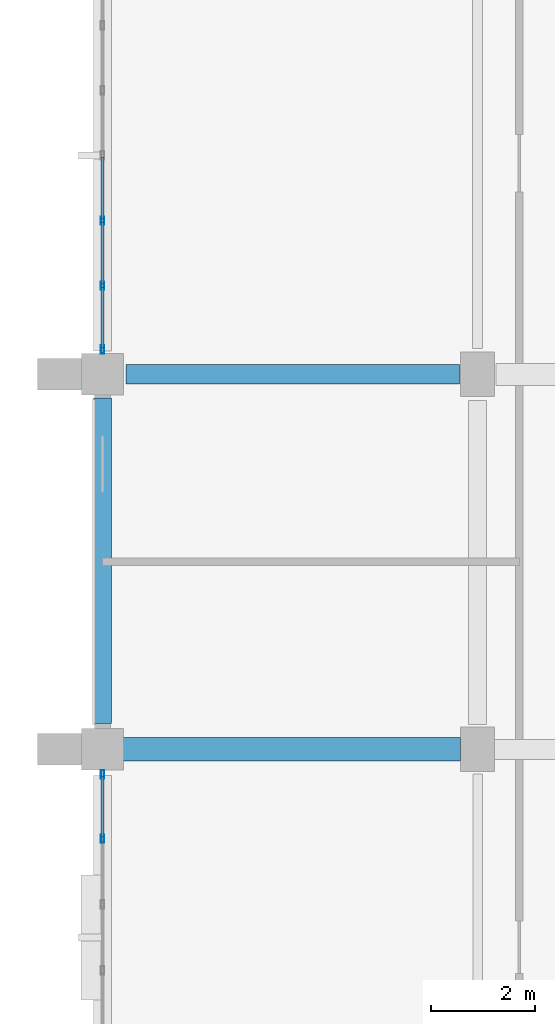
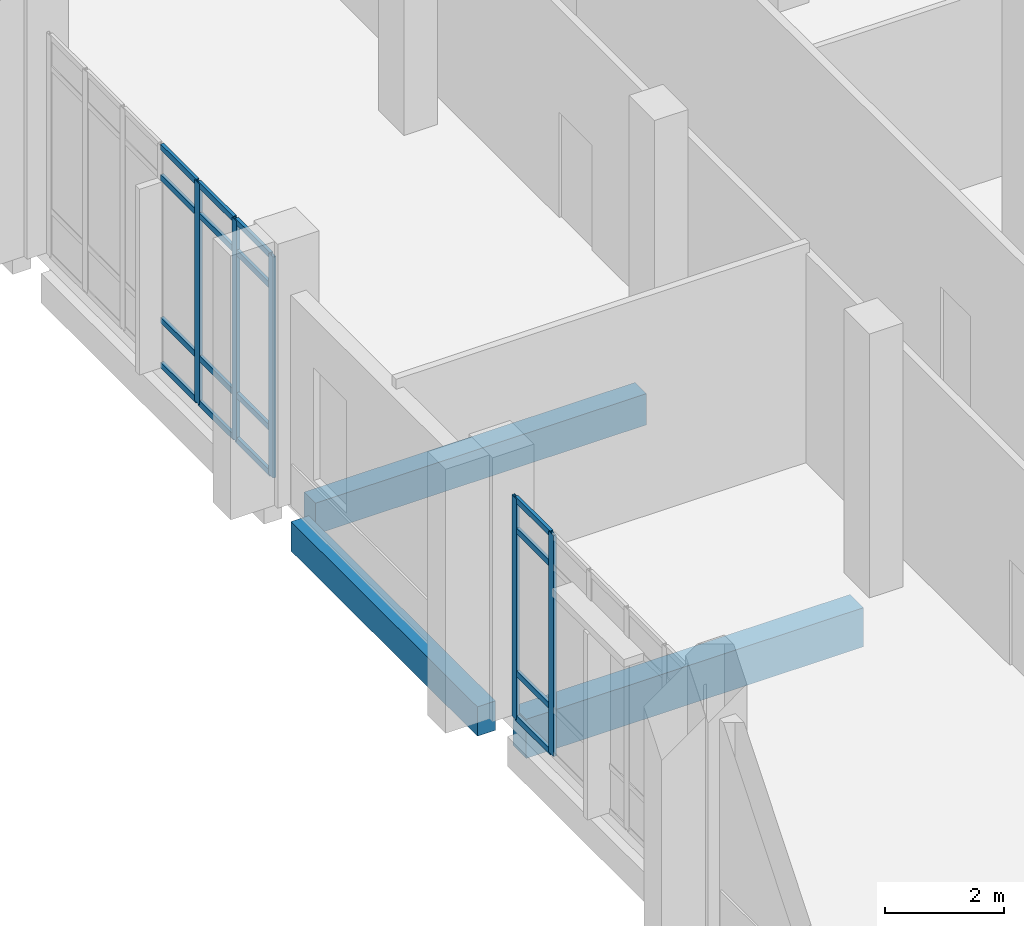
# One storey, part 37 of 110: 21 members, 3 beams, 2 elements without a shape of their own.
"""IFC4 building model written with IfcOpenShell, lengths in metres."""

from ifc_helpers import new_model, si_unit, direction, frame, origin, origin_2d, place, context, subcontext, project, spatial, rectangle, hollow_rectangle, extrude, material, material_profile, profile_set, type_object, element, aggregate, save


model = new_model("IFC4")

# Units and contexts
model_context = context("Model", 3, precision=1e-05, world=origin(), true_north=direction((0.0, 1.0)))
body_context = subcontext(model_context, "Body", "Model", "MODEL_VIEW")
ifc_project = project(units=[si_unit("LENGTHUNIT", "METRE"), si_unit("AREAUNIT", "SQUARE_METRE"), si_unit("VOLUMEUNIT", "CUBIC_METRE"), si_unit("PLANEANGLEUNIT", "RADIAN"), si_unit("MASSUNIT", "GRAM", prefix="KILO")], contexts=[model_context])

# Site, building, storey
site_placement = place(None, origin())
site = spatial("IfcSite", under=ifc_project, at=site_placement, CompositionType="ELEMENT")
building_placement = place(site_placement, origin())
building = spatial("IfcBuilding", under=site, at=building_placement, Name="Kalluvel Institute of Natural Sciences", CompositionType="ELEMENT")
storey_placement = place(building_placement, origin())
storey = spatial("IfcBuildingStorey", under=building, at=storey_placement, Name="L00", CompositionType="ELEMENT", Elevation=0.0)

# Beams
ifc_material_1 = material(Name="Concrete M40", Category="concrete")
ifc_material_profile_1 = material_profile(ifc_material_1, rectangle(XDim=0.3798828125, YDim=0.639892578125, at=origin_2d()), Name="RCB 380x640")
ifc_profile_set_1 = profile_set([ifc_material_profile_1], Name="Concrete M40")
beam_type_1 = type_object("IfcBeamType", Name="BM-RC380x640", PredefinedType="BEAM", material=ifc_profile_set_1)
beam_1_placement = place(storey_placement, frame((14.449951171875, 86.0, -0.639892578125), z_axis=(1.0, 0.0, 0.0), x_axis=(0.0, 1.0, 0.0)))
element("IfcBeam", 1, at=beam_1_placement, inside=storey, type_object=beam_type_1, Name="L00 girder GIR-L00-EW-X140-Y860", PredefinedType="BEAM", context=body_context, shape_type="SweptSolid", body=[
    extrude(rectangle(XDim=0.3798828125, YDim=0.639892578125, at=origin_2d()), origin(), (0.0, 0.0, 1.0), 6.400146484375),
])
ifc_material_profile_2 = material_profile(ifc_material_1, rectangle(XDim=0.449951171875, YDim=0.800048828125, at=origin_2d()), Name="RCB 450x800")
ifc_profile_set_2 = profile_set([ifc_material_profile_2], Name="Concrete M40")
beam_type_2 = type_object("IfcBeamType", Name="BM-RC450x800", PredefinedType="BEAM", material=ifc_profile_set_2)
beam_2_placement = place(storey_placement, frame((14.35009765625, 78.800048828125, -0.719970703125), z_axis=(1.0, 0.0, 0.0), x_axis=(0.0, 1.0, 0.0)))
element("IfcBeam", 2, at=beam_2_placement, inside=storey, type_object=beam_type_2, Name="L00 girder GIR-L00-EW-X140-Y788", PredefinedType="BEAM", context=body_context, shape_type="SweptSolid", body=[
    extrude(rectangle(XDim=0.449951171875, YDim=0.800048828125, at=origin_2d()), origin(), (0.0, 0.0, 1.0), 6.52490234375),
])

# Curtain wall, members
ifc_material_2 = material(Name="Aluminium AW-6063 T6", Category="aluminium")
curtain_wall_type = type_object("IfcCurtainWallType", Name="CW-DRY-54", PredefinedType="USERDEFINED", material=ifc_material_2)
curtain_wall_1_placement = place(storey_placement, origin())
curtain_wall_1 = element("IfcCurtainWall", 3, at=curtain_wall_1_placement, inside=storey, type_object=curtain_wall_type, Name="L00 Gothic lancet curtain wall CWA-L00-X140-Y720", ObjectType="UNITISED LANCET FACADE", PredefinedType="USERDEFINED")
ifc_material_profile_3 = material_profile(ifc_material_2, hollow_rectangle(XDim=0.06005859375, YDim=0.159912109375, WallThickness=0.00390625, at=origin_2d()), Name="CWM 60x160")
ifc_profile_set_3 = profile_set([ifc_material_profile_3], Name="Aluminium AW-6063 T6")
member_type_1 = type_object("IfcMemberType", Name="CWM-60x160", PredefinedType="MULLION", material=ifc_profile_set_3)
member_1_placement = place(storey_placement, frame((14.0, 77.0849609375, 0.0), z_axis=(0.0, 0.0, 1.0), x_axis=(-1.0, 0.0, 0.0)))
member_1 = element("IfcMember", 4, at=member_1_placement, type_object=member_type_1, Name="CW-04 mullion 5", PredefinedType="MULLION", context=body_context, shape_type="SweptSolid", body=[
    extrude(hollow_rectangle(XDim=0.06005859375, YDim=0.159912109375, WallThickness=0.00390625, at=origin_2d()), origin(), (0.0, 0.0, 1.0), 4.52001953125),
])
member_2_placement = place(storey_placement, frame((14.0, 78.320068359375, 0.0), z_axis=(0.0, 0.0, 1.0), x_axis=(-1.0, 0.0, 0.0)))
member_2 = element("IfcMember", 5, at=member_2_placement, type_object=member_type_1, Name="CW-04 mullion 6", PredefinedType="MULLION", context=body_context, shape_type="SweptSolid", body=[
    extrude(hollow_rectangle(XDim=0.06005859375, YDim=0.159912109375, WallThickness=0.00390625, at=origin_2d()), origin(), (0.0, 0.0, 1.0), 4.52001953125),
])

curtain_wall_2_placement = place(storey_placement, origin())
curtain_wall_2 = element("IfcCurtainWall", 6, at=curtain_wall_2_placement, inside=storey, type_object=curtain_wall_type, Name="L00 Gothic lancet curtain wall CWA-L00-X140-Y864", ObjectType="UNITISED LANCET FACADE", PredefinedType="USERDEFINED")
member_3_placement = place(storey_placement, frame((14.0, 86.47998046875, 0.0), z_axis=(0.0, 0.0, 1.0), x_axis=(-1.0, 0.0, 0.0)))
member_3 = element("IfcMember", 7, at=member_3_placement, type_object=member_type_1, Name="CW-04 mullion 1", PredefinedType="MULLION", context=body_context, shape_type="SweptSolid", body=[
    extrude(hollow_rectangle(XDim=0.06005859375, YDim=0.159912109375, WallThickness=0.00390625, at=origin_2d()), origin(), (0.0, 0.0, 1.0), 4.52001953125),
])
member_4_placement = place(storey_placement, frame((14.0, 87.699951171875, 0.0), z_axis=(0.0, 0.0, 1.0), x_axis=(-1.0, 0.0, 0.0)))
member_4 = element("IfcMember", 8, at=member_4_placement, type_object=member_type_1, Name="CW-04 mullion 2", PredefinedType="MULLION", context=body_context, shape_type="SweptSolid", body=[
    extrude(hollow_rectangle(XDim=0.06005859375, YDim=0.159912109375, WallThickness=0.00390625, at=origin_2d()), origin(), (0.0, 0.0, 1.0), 4.52001953125),
])
member_5_placement = place(storey_placement, frame((14.0, 88.949951171875, 0.0), z_axis=(0.0, 0.0, 1.0), x_axis=(-1.0, 0.0, 0.0)))
member_5 = element("IfcMember", 9, at=member_5_placement, type_object=member_type_1, Name="CW-04 mullion 3", PredefinedType="MULLION", context=body_context, shape_type="SweptSolid", body=[
    extrude(hollow_rectangle(XDim=0.06005859375, YDim=0.159912109375, WallThickness=0.00390625, at=origin_2d()), origin(), (0.0, 0.0, 1.0), 4.52001953125),
])

# Member
ifc_material_profile_4 = material_profile(ifc_material_2, hollow_rectangle(XDim=0.06005859375, YDim=0.1201171875, WallThickness=0.00390625, at=origin_2d()), Name="CWT 60x120")
ifc_profile_set_4 = profile_set([ifc_material_profile_4], Name="Aluminium AW-6063 T6")
member_type_2 = type_object("IfcMemberType", Name="CWT-60x120", PredefinedType="USERDEFINED", material=ifc_profile_set_4)
member_6_placement = place(storey_placement, frame((14.0, 77.114990234375, 0.030029296875), z_axis=(0.0, 1.0, 0.0), x_axis=(-1.0, 0.0, 0.0)))
member_6 = element("IfcMember", 10, at=member_6_placement, type_object=member_type_2, Name="CW-04 transom 5.1", ObjectType="TRANSOM", PredefinedType="USERDEFINED", context=body_context, shape_type="SweptSolid", body=[
    extrude(hollow_rectangle(XDim=0.06005859375, YDim=0.1201171875, WallThickness=0.00390625, at=origin_2d()), origin(), (0.0, 0.0, 1.0), 1.175048828125),
])

member_7_placement = place(storey_placement, frame((14.0, 77.114990234375, 0.949951171875), z_axis=(0.0, 1.0, 0.0), x_axis=(-1.0, 0.0, 0.0)))
member_7 = element("IfcMember", 11, at=member_7_placement, type_object=member_type_2, Name="CW-04 transom 5.2", ObjectType="TRANSOM", PredefinedType="USERDEFINED", context=body_context, shape_type="SweptSolid", body=[
    extrude(hollow_rectangle(XDim=0.06005859375, YDim=0.1201171875, WallThickness=0.00390625, at=origin_2d()), origin(), (0.0, 0.0, 1.0), 1.175048828125),
])

member_8_placement = place(storey_placement, frame((14.0, 77.114990234375, 3.8701171875), z_axis=(0.0, 1.0, 0.0), x_axis=(-1.0, 0.0, 0.0)))
member_8 = element("IfcMember", 12, at=member_8_placement, type_object=member_type_2, Name="CW-04 transom 5.3", ObjectType="TRANSOM", PredefinedType="USERDEFINED", context=body_context, shape_type="SweptSolid", body=[
    extrude(hollow_rectangle(XDim=0.06005859375, YDim=0.1201171875, WallThickness=0.00390625, at=origin_2d()), origin(), (0.0, 0.0, 1.0), 1.175048828125),
])

member_9_placement = place(storey_placement, frame((14.0, 77.114990234375, 4.489990234375), z_axis=(0.0, 1.0, 0.0), x_axis=(-1.0, 0.0, 0.0)))
member_9 = element("IfcMember", 13, at=member_9_placement, type_object=member_type_2, Name="CW-04 transom 5.4", ObjectType="TRANSOM", PredefinedType="USERDEFINED", context=body_context, shape_type="SweptSolid", body=[
    extrude(hollow_rectangle(XDim=0.06005859375, YDim=0.1201171875, WallThickness=0.00390625, at=origin_2d()), origin(), (0.0, 0.0, 1.0), 1.175048828125),
])

aggregate(curtain_wall_1, [member_1, member_2, member_6, member_7, member_8, member_9])

member_10_placement = place(storey_placement, frame((14.0, 86.510009765625, 0.030029296875), z_axis=(0.0, 1.0, 0.0), x_axis=(-1.0, 0.0, 0.0)))
member_10 = element("IfcMember", 14, at=member_10_placement, type_object=member_type_2, Name="CW-04 transom 1.1", ObjectType="TRANSOM", PredefinedType="USERDEFINED", context=body_context, shape_type="SweptSolid", body=[
    extrude(hollow_rectangle(XDim=0.06005859375, YDim=0.1201171875, WallThickness=0.00390625, at=origin_2d()), origin(), (0.0, 0.0, 1.0), 1.159912109375),
])

member_11_placement = place(storey_placement, frame((14.0, 86.510009765625, 0.949951171875), z_axis=(0.0, 1.0, 0.0), x_axis=(-1.0, 0.0, 0.0)))
member_11 = element("IfcMember", 15, at=member_11_placement, type_object=member_type_2, Name="CW-04 transom 1.2", ObjectType="TRANSOM", PredefinedType="USERDEFINED", context=body_context, shape_type="SweptSolid", body=[
    extrude(hollow_rectangle(XDim=0.06005859375, YDim=0.1201171875, WallThickness=0.00390625, at=origin_2d()), origin(), (0.0, 0.0, 1.0), 1.159912109375),
])

member_12_placement = place(storey_placement, frame((14.0, 86.510009765625, 3.8701171875), z_axis=(0.0, 1.0, 0.0), x_axis=(-1.0, 0.0, 0.0)))
member_12 = element("IfcMember", 16, at=member_12_placement, type_object=member_type_2, Name="CW-04 transom 1.3", ObjectType="TRANSOM", PredefinedType="USERDEFINED", context=body_context, shape_type="SweptSolid", body=[
    extrude(hollow_rectangle(XDim=0.06005859375, YDim=0.1201171875, WallThickness=0.00390625, at=origin_2d()), origin(), (0.0, 0.0, 1.0), 1.159912109375),
])

member_13_placement = place(storey_placement, frame((14.0, 86.510009765625, 4.489990234375), z_axis=(0.0, 1.0, 0.0), x_axis=(-1.0, 0.0, 0.0)))
member_13 = element("IfcMember", 17, at=member_13_placement, type_object=member_type_2, Name="CW-04 transom 1.4", ObjectType="TRANSOM", PredefinedType="USERDEFINED", context=body_context, shape_type="SweptSolid", body=[
    extrude(hollow_rectangle(XDim=0.06005859375, YDim=0.1201171875, WallThickness=0.00390625, at=origin_2d()), origin(), (0.0, 0.0, 1.0), 1.159912109375),
])

member_14_placement = place(storey_placement, frame((14.0, 87.72998046875, 0.030029296875), z_axis=(0.0, 1.0, 0.0), x_axis=(-1.0, 0.0, 0.0)))
member_14 = element("IfcMember", 18, at=member_14_placement, type_object=member_type_2, Name="CW-04 transom 2.1", ObjectType="TRANSOM", PredefinedType="USERDEFINED", context=body_context, shape_type="SweptSolid", body=[
    extrude(hollow_rectangle(XDim=0.06005859375, YDim=0.1201171875, WallThickness=0.00390625, at=origin_2d()), origin(), (0.0, 0.0, 1.0), 1.18994140625),
])

member_15_placement = place(storey_placement, frame((14.0, 87.72998046875, 0.949951171875), z_axis=(0.0, 1.0, 0.0), x_axis=(-1.0, 0.0, 0.0)))
member_15 = element("IfcMember", 19, at=member_15_placement, type_object=member_type_2, Name="CW-04 transom 2.2", ObjectType="TRANSOM", PredefinedType="USERDEFINED", context=body_context, shape_type="SweptSolid", body=[
    extrude(hollow_rectangle(XDim=0.06005859375, YDim=0.1201171875, WallThickness=0.00390625, at=origin_2d()), origin(), (0.0, 0.0, 1.0), 1.18994140625),
])

member_16_placement = place(storey_placement, frame((14.0, 87.72998046875, 3.8701171875), z_axis=(0.0, 1.0, 0.0), x_axis=(-1.0, 0.0, 0.0)))
member_16 = element("IfcMember", 20, at=member_16_placement, type_object=member_type_2, Name="CW-04 transom 2.3", ObjectType="TRANSOM", PredefinedType="USERDEFINED", context=body_context, shape_type="SweptSolid", body=[
    extrude(hollow_rectangle(XDim=0.06005859375, YDim=0.1201171875, WallThickness=0.00390625, at=origin_2d()), origin(), (0.0, 0.0, 1.0), 1.18994140625),
])

member_17_placement = place(storey_placement, frame((14.0, 87.72998046875, 4.489990234375), z_axis=(0.0, 1.0, 0.0), x_axis=(-1.0, 0.0, 0.0)))
member_17 = element("IfcMember", 21, at=member_17_placement, type_object=member_type_2, Name="CW-04 transom 2.4", ObjectType="TRANSOM", PredefinedType="USERDEFINED", context=body_context, shape_type="SweptSolid", body=[
    extrude(hollow_rectangle(XDim=0.06005859375, YDim=0.1201171875, WallThickness=0.00390625, at=origin_2d()), origin(), (0.0, 0.0, 1.0), 1.18994140625),
])

member_18_placement = place(storey_placement, frame((14.0, 88.97998046875, 0.030029296875), z_axis=(0.0, 1.0, 0.0), x_axis=(-1.0, 0.0, 0.0)))
member_18 = element("IfcMember", 22, at=member_18_placement, type_object=member_type_2, Name="CW-04 transom 3.1", ObjectType="TRANSOM", PredefinedType="USERDEFINED", context=body_context, shape_type="SweptSolid", body=[
    extrude(hollow_rectangle(XDim=0.06005859375, YDim=0.1201171875, WallThickness=0.00390625, at=origin_2d()), origin(), (0.0, 0.0, 1.0), 1.18994140625),
])

member_19_placement = place(storey_placement, frame((14.0, 88.97998046875, 0.949951171875), z_axis=(0.0, 1.0, 0.0), x_axis=(-1.0, 0.0, 0.0)))
member_19 = element("IfcMember", 23, at=member_19_placement, type_object=member_type_2, Name="CW-04 transom 3.2", ObjectType="TRANSOM", PredefinedType="USERDEFINED", context=body_context, shape_type="SweptSolid", body=[
    extrude(hollow_rectangle(XDim=0.06005859375, YDim=0.1201171875, WallThickness=0.00390625, at=origin_2d()), origin(), (0.0, 0.0, 1.0), 1.18994140625),
])

member_20_placement = place(storey_placement, frame((14.0, 88.97998046875, 3.8701171875), z_axis=(0.0, 1.0, 0.0), x_axis=(-1.0, 0.0, 0.0)))
member_20 = element("IfcMember", 24, at=member_20_placement, type_object=member_type_2, Name="CW-04 transom 3.3", ObjectType="TRANSOM", PredefinedType="USERDEFINED", context=body_context, shape_type="SweptSolid", body=[
    extrude(hollow_rectangle(XDim=0.06005859375, YDim=0.1201171875, WallThickness=0.00390625, at=origin_2d()), origin(), (0.0, 0.0, 1.0), 1.18994140625),
])

member_21_placement = place(storey_placement, frame((14.0, 88.97998046875, 4.489990234375), z_axis=(0.0, 1.0, 0.0), x_axis=(-1.0, 0.0, 0.0)))
member_21 = element("IfcMember", 25, at=member_21_placement, type_object=member_type_2, Name="CW-04 transom 3.4", ObjectType="TRANSOM", PredefinedType="USERDEFINED", context=body_context, shape_type="SweptSolid", body=[
    extrude(hollow_rectangle(XDim=0.06005859375, YDim=0.1201171875, WallThickness=0.00390625, at=origin_2d()), origin(), (0.0, 0.0, 1.0), 1.18994140625),
])

aggregate(curtain_wall_2, [member_3, member_4, member_5, member_10, member_11, member_12, member_13, member_14, member_15, member_16, member_17, member_18, member_19, member_20, member_21])

# Beam
ifc_material_profile_5 = material_profile(ifc_material_1, rectangle(XDim=0.35009765625, YDim=0.60009765625, at=origin_2d()), Name="RCB 350x600")
ifc_profile_set_5 = profile_set([ifc_material_profile_5], Name="Concrete M40")
beam_type_3 = type_object("IfcBeamType", Name="SP-RC350x600", PredefinedType="SPANDREL", material=ifc_profile_set_5)
beam_3_placement = place(storey_placement, frame((14.0, 79.300048828125, -0.6201171875), z_axis=(0.0, 1.0, 0.0), x_axis=(-1.0, 0.0, 0.0)))
element("IfcBeam", 26, at=beam_3_placement, inside=storey, type_object=beam_type_3, Name="L00 girder GIR-L00-NS-X140-Y788", PredefinedType="SPANDREL", context=body_context, shape_type="SweptSolid", body=[
    extrude(rectangle(XDim=0.35009765625, YDim=0.60009765625, at=origin_2d()), origin(), (0.0, 0.0, 1.0), 6.25),
])

save(model, "model.ifc")
